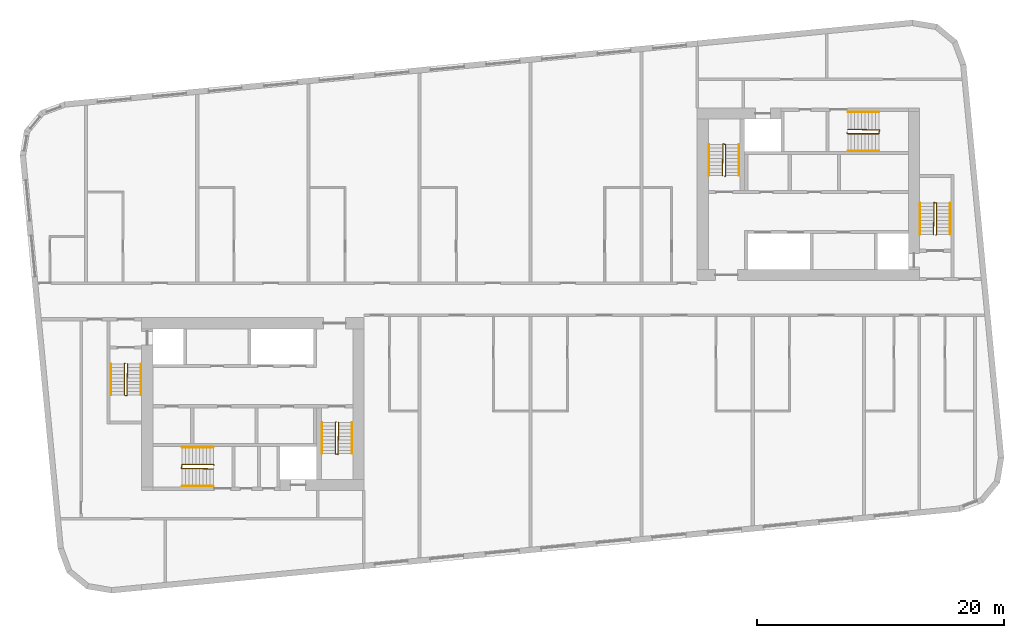
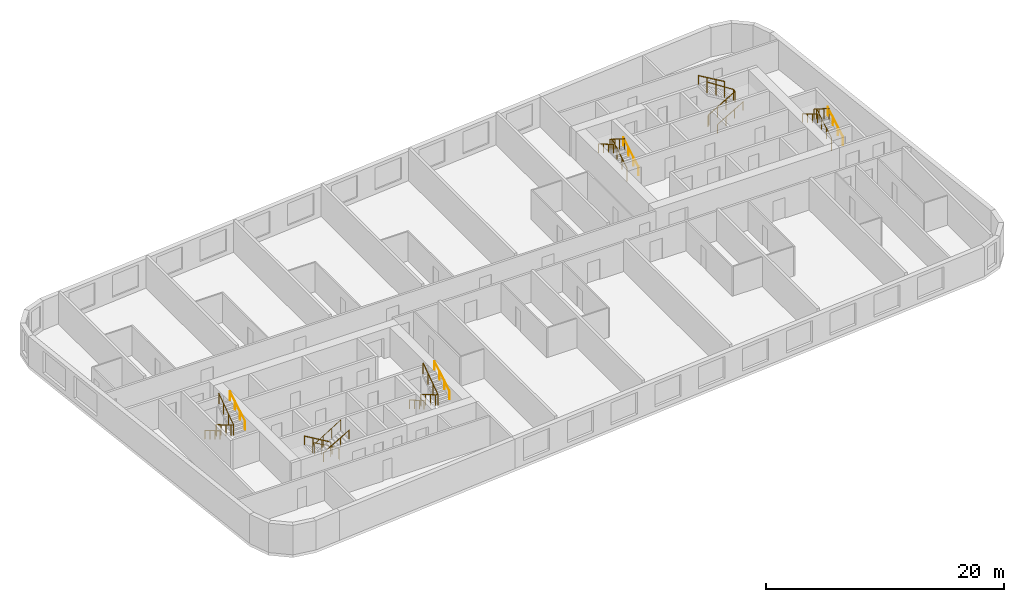
# One storey, part 11 of 11: 18 railings.
"""IFC4 building model written with IfcOpenShell, lengths in metres."""

from ifc_helpers import new_model, si_unit, direction, frame, origin, origin_2d, place, context, subcontext, project, spatial, circle, extrude, material, type_object, element, save


model = new_model("IFC4")

# Units and contexts
model_context = context("Model", 3, precision=1e-05, world=origin(), true_north=direction((0.0, 1.0)))
body_context = subcontext(model_context, "Body", "Model", "MODEL_VIEW")
ifc_project = project(units=[si_unit("LENGTHUNIT", "METRE"), si_unit("AREAUNIT", "SQUARE_METRE"), si_unit("VOLUMEUNIT", "CUBIC_METRE"), si_unit("PLANEANGLEUNIT", "RADIAN"), si_unit("MASSUNIT", "GRAM", prefix="KILO")], contexts=[model_context])

# Site, building, storey
site_placement = place(None, origin())
site = spatial("IfcSite", under=ifc_project, at=site_placement, CompositionType="ELEMENT")
building_placement = place(site_placement, origin())
building = spatial("IfcBuilding", under=site, at=building_placement, Name="Kajstack Hotel Tower", CompositionType="ELEMENT")
storey_placement = place(building_placement, frame((0.0, 0.0, 275.10009765625)))
storey = spatial("IfcBuildingStorey", under=building, at=storey_placement, Name="L68", CompositionType="ELEMENT", Elevation=275.10009765625)

# Railings
ifc_material = material(Name="Steel S355J2", Category="steel")
railing_type_1 = type_object("IfcRailingType", Name="Stair guard 1100", PredefinedType="GUARDRAIL", material=ifc_material)
railing_1_placement = place(storey_placement, frame((-32.85009765625, -5.199951171875, 0.0)))
element("IfcRailing", 1, at=railing_1_placement, inside=storey, type_object=railing_type_1, Name="L68 W1 stair guard 1", PredefinedType="GUARDRAIL", context=body_context, shape_type="SweptSolid", body=[
    extrude(circle(Radius=0.02392578125, at=origin_2d()), frame((0.0, 0.0, 1.076171875), z_axis=(-0.277797701265, -0.279159454702, 0.919183570361), x_axis=(0.708833529934, -0.705375805398, 0.0)), (0.0, 0.0, 1.0), 0.17919921875),
    extrude(circle(Radius=0.02392578125, at=origin_2d()), frame((-0.0498046875, -0.050048828125, 1.24072265625), z_axis=(0.0, -0.86152411907, 0.507716645641), x_axis=(1.0, 0.0, 0.0)), (0.0, 0.0, 1.0), 2.925048828125),
    extrude(circle(Radius=0.02392578125, at=origin_2d()), frame((-0.0498046875, -2.570068359375, 2.72607421875), z_axis=(0.970072785993, -0.242814311512, 0.0), x_axis=(0.242814311512, 0.970072785993, 0.0)), (0.0, 0.0, 1.0), 0.2060546875),
    extrude(circle(Radius=0.02392578125, at=origin_2d()), frame((0.150146484375, -2.6201171875, 2.72607421875), z_axis=(0.016385308676, 0.841405582595, 0.540155687962), x_axis=(-0.999810440751, 0.019470042781, 0.0)), (0.0, 0.0, 1.0), 3.054443359375),
    extrude(circle(Radius=0.02099609375, at=origin_2d()), origin(), (0.0, 0.0, 1.0), 1.052001953125),
    extrude(circle(Radius=0.02099609375, at=origin_2d()), frame((-0.0498046875, -0.050048828125, 0.164794921875)), (0.0, 0.0, 1.0), 1.052001953125),
    extrude(circle(Radius=0.02099609375, at=origin_2d()), frame((-0.0498046875, -0.89013671875, 0.659912109375)), (0.0, 0.0, 1.0), 1.052001953125),
    extrude(circle(Radius=0.02099609375, at=origin_2d()), frame((-0.0498046875, -1.72998046875, 1.15478515625)), (0.0, 0.0, 1.0), 1.052001953125),
    extrude(circle(Radius=0.02099609375, at=origin_2d()), frame((-0.0498046875, -2.570068359375, 1.64990234375)), (0.0, 0.0, 1.0), 1.052001953125),
    extrude(circle(Radius=0.02099609375, at=origin_2d()), frame((0.150146484375, -2.6201171875, 1.64990234375)), (0.0, 0.0, 1.0), 1.052001953125),
    extrude(circle(Radius=0.02099609375, at=origin_2d()), frame((0.166748046875, -1.763427734375, 2.199951171875)), (0.0, 0.0, 1.0), 1.052001953125),
    extrude(circle(Radius=0.02099609375, at=origin_2d()), frame((0.18359375, -0.90673828125, 2.749755859375)), (0.0, 0.0, 1.0), 1.052001953125),
    extrude(circle(Radius=0.02099609375, at=origin_2d()), frame((0.2001953125, -0.050048828125, 3.2998046875)), (0.0, 0.0, 1.0), 1.052001953125),
])
railing_2_placement = place(storey_placement, frame((-15.75, -9.949951171875, 0.0)))
element("IfcRailing", 2, at=railing_2_placement, inside=storey, type_object=railing_type_1, Name="L68 W2 stair guard 1", PredefinedType="GUARDRAIL", context=body_context, shape_type="SweptSolid", body=[
    extrude(circle(Radius=0.02392578125, at=origin_2d()), frame((0.0, 0.0, 1.076171875), z_axis=(-0.279053652268, -0.279053652268, 0.918835196492), x_axis=(0.707106781187, -0.707106781187, 0.0)), (0.0, 0.0, 1.0), 0.179443359375),
    extrude(circle(Radius=0.02392578125, at=origin_2d()), frame((-0.050048828125, -0.050048828125, 1.24072265625), z_axis=(0.0, -0.86152411907, 0.507716645641), x_axis=(1.0, 0.0, 0.0)), (0.0, 0.0, 1.0), 2.925048828125),
    extrude(circle(Radius=0.02392578125, at=origin_2d()), frame((-0.050048828125, -2.570068359375, 2.72607421875), z_axis=(0.970072785993, -0.242814311512, 0.0), x_axis=(0.242814311512, 0.970072785993, 0.0)), (0.0, 0.0, 1.0), 0.2060546875),
    extrude(circle(Radius=0.02392578125, at=origin_2d()), frame((0.14990234375, -2.6201171875, 2.72607421875), z_axis=(0.016385308676, 0.841405582595, 0.540155687962), x_axis=(-0.999810440751, 0.019470042781, 0.0)), (0.0, 0.0, 1.0), 3.054443359375),
    extrude(circle(Radius=0.02099609375, at=origin_2d()), origin(), (0.0, 0.0, 1.0), 1.052001953125),
    extrude(circle(Radius=0.02099609375, at=origin_2d()), frame((-0.050048828125, -0.050048828125, 0.164794921875)), (0.0, 0.0, 1.0), 1.052001953125),
    extrude(circle(Radius=0.02099609375, at=origin_2d()), frame((-0.050048828125, -0.89013671875, 0.659912109375)), (0.0, 0.0, 1.0), 1.052001953125),
    extrude(circle(Radius=0.02099609375, at=origin_2d()), frame((-0.050048828125, -1.72998046875, 1.15478515625)), (0.0, 0.0, 1.0), 1.052001953125),
    extrude(circle(Radius=0.02099609375, at=origin_2d()), frame((-0.050048828125, -2.570068359375, 1.64990234375)), (0.0, 0.0, 1.0), 1.052001953125),
    extrude(circle(Radius=0.02099609375, at=origin_2d()), frame((0.14990234375, -2.6201171875, 1.64990234375)), (0.0, 0.0, 1.0), 1.052001953125),
    extrude(circle(Radius=0.02099609375, at=origin_2d()), frame((0.16650390625, -1.763427734375, 2.199951171875)), (0.0, 0.0, 1.0), 1.052001953125),
    extrude(circle(Radius=0.02099609375, at=origin_2d()), frame((0.183349609375, -0.90673828125, 2.749755859375)), (0.0, 0.0, 1.0), 1.052001953125),
    extrude(circle(Radius=0.02099609375, at=origin_2d()), frame((0.199951171875, -0.050048828125, 3.2998046875)), (0.0, 0.0, 1.0), 1.052001953125),
])
railing_3_placement = place(storey_placement, frame((-25.64990234375, -13.449951171875, 0.0)))
element("IfcRailing", 3, at=railing_3_placement, inside=storey, type_object=railing_type_1, Name="L68 W3 stair guard 1", PredefinedType="GUARDRAIL", context=body_context, shape_type="SweptSolid", body=[
    extrude(circle(Radius=0.02392578125, at=origin_2d()), frame((0.0, 0.0, 1.076171875), z_axis=(-0.279053652268, 0.279053652268, 0.918835196492), x_axis=(-0.707106781187, -0.707106781187, 0.0)), (0.0, 0.0, 1.0), 0.179443359375),
    extrude(circle(Radius=0.02392578125, at=origin_2d()), frame((-0.050048828125, 0.050048828125, 1.24072265625), z_axis=(-0.86152411907, 0.0, 0.507716645641), x_axis=(0.0, -1.0, 0.0)), (0.0, 0.0, 1.0), 2.925048828125),
    extrude(circle(Radius=0.02392578125, at=origin_2d()), frame((-2.570068359375, 0.050048828125, 2.72607421875), z_axis=(-0.164529134168, -0.986372223864, 0.0), x_axis=(0.986372223864, -0.164529134168, 0.0)), (0.0, 0.0, 1.0), 0.30419921875),
    extrude(circle(Radius=0.02392578125, at=origin_2d()), frame((-2.6201171875, -0.25, 2.72607421875), z_axis=(0.841405582595, -0.016385308676, 0.540155687962), x_axis=(0.019470042781, 0.999810440751, 0.0)), (0.0, 0.0, 1.0), 3.054443359375),
    extrude(circle(Radius=0.02099609375, at=origin_2d()), origin(), (0.0, 0.0, 1.0), 1.052001953125),
    extrude(circle(Radius=0.02099609375, at=origin_2d()), frame((-0.050048828125, 0.050048828125, 0.164794921875)), (0.0, 0.0, 1.0), 1.052001953125),
    extrude(circle(Radius=0.02099609375, at=origin_2d()), frame((-0.89013671875, 0.050048828125, 0.659912109375)), (0.0, 0.0, 1.0), 1.052001953125),
    extrude(circle(Radius=0.02099609375, at=origin_2d()), frame((-1.72998046875, 0.050048828125, 1.15478515625)), (0.0, 0.0, 1.0), 1.052001953125),
    extrude(circle(Radius=0.02099609375, at=origin_2d()), frame((-2.570068359375, 0.050048828125, 1.64990234375)), (0.0, 0.0, 1.0), 1.052001953125),
    extrude(circle(Radius=0.02099609375, at=origin_2d()), frame((-2.6201171875, -0.25, 1.64990234375)), (0.0, 0.0, 1.0), 1.052001953125),
    extrude(circle(Radius=0.02099609375, at=origin_2d()), frame((-1.763427734375, -0.2666015625, 2.199951171875)), (0.0, 0.0, 1.0), 1.052001953125),
    extrude(circle(Radius=0.02099609375, at=origin_2d()), frame((-0.90673828125, -0.283447265625, 2.749755859375)), (0.0, 0.0, 1.0), 1.052001953125),
    extrude(circle(Radius=0.02099609375, at=origin_2d()), frame((-0.050048828125, -0.300048828125, 3.2998046875)), (0.0, 0.0, 1.0), 1.052001953125),
])
railing_4_placement = place(storey_placement, frame((32.85009765625, 5.199951171875, 0.0)))
element("IfcRailing", 4, at=railing_4_placement, inside=storey, type_object=railing_type_1, Name="L68 E1 stair guard 1", PredefinedType="GUARDRAIL", context=body_context, shape_type="SweptSolid", body=[
    extrude(circle(Radius=0.02392578125, at=origin_2d()), frame((0.0, 0.0, 1.076171875), z_axis=(0.277797701265, 0.279159454702, 0.919183570361), x_axis=(-0.708833529934, 0.705375805398, 0.0)), (0.0, 0.0, 1.0), 0.17919921875),
    extrude(circle(Radius=0.02392578125, at=origin_2d()), frame((0.0498046875, 0.050048828125, 1.24072265625), z_axis=(0.0, 0.86152411907, 0.507716645641), x_axis=(-1.0, 0.0, 0.0)), (0.0, 0.0, 1.0), 2.925048828125),
    extrude(circle(Radius=0.02392578125, at=origin_2d()), frame((0.0498046875, 2.570068359375, 2.72607421875), z_axis=(-0.970072785993, 0.242814311512, 0.0), x_axis=(-0.242814311512, -0.970072785993, 0.0)), (0.0, 0.0, 1.0), 0.2060546875),
    extrude(circle(Radius=0.02392578125, at=origin_2d()), frame((-0.150146484375, 2.6201171875, 2.72607421875), z_axis=(-0.016385308676, -0.841405582595, 0.540155687962), x_axis=(0.999810440751, -0.019470042781, 0.0)), (0.0, 0.0, 1.0), 3.054443359375),
    extrude(circle(Radius=0.02099609375, at=origin_2d()), origin(), (0.0, 0.0, 1.0), 1.052001953125),
    extrude(circle(Radius=0.02099609375, at=origin_2d()), frame((0.0498046875, 0.050048828125, 0.164794921875)), (0.0, 0.0, 1.0), 1.052001953125),
    extrude(circle(Radius=0.02099609375, at=origin_2d()), frame((0.0498046875, 0.89013671875, 0.659912109375)), (0.0, 0.0, 1.0), 1.052001953125),
    extrude(circle(Radius=0.02099609375, at=origin_2d()), frame((0.0498046875, 1.72998046875, 1.15478515625)), (0.0, 0.0, 1.0), 1.052001953125),
    extrude(circle(Radius=0.02099609375, at=origin_2d()), frame((0.0498046875, 2.570068359375, 1.64990234375)), (0.0, 0.0, 1.0), 1.052001953125),
    extrude(circle(Radius=0.02099609375, at=origin_2d()), frame((-0.150146484375, 2.6201171875, 1.64990234375)), (0.0, 0.0, 1.0), 1.052001953125),
    extrude(circle(Radius=0.02099609375, at=origin_2d()), frame((-0.166748046875, 1.763427734375, 2.199951171875)), (0.0, 0.0, 1.0), 1.052001953125),
    extrude(circle(Radius=0.02099609375, at=origin_2d()), frame((-0.18359375, 0.90673828125, 2.749755859375)), (0.0, 0.0, 1.0), 1.052001953125),
    extrude(circle(Radius=0.02099609375, at=origin_2d()), frame((-0.2001953125, 0.050048828125, 3.2998046875)), (0.0, 0.0, 1.0), 1.052001953125),
])
railing_5_placement = place(storey_placement, frame((15.75, 9.949951171875, 0.0)))
element("IfcRailing", 5, at=railing_5_placement, inside=storey, type_object=railing_type_1, Name="L68 E2 stair guard 1", PredefinedType="GUARDRAIL", context=body_context, shape_type="SweptSolid", body=[
    extrude(circle(Radius=0.02392578125, at=origin_2d()), frame((0.0, 0.0, 1.076171875), z_axis=(0.279053652268, 0.279053652268, 0.918835196492), x_axis=(-0.707106781187, 0.707106781187, 0.0)), (0.0, 0.0, 1.0), 0.179443359375),
    extrude(circle(Radius=0.02392578125, at=origin_2d()), frame((0.050048828125, 0.050048828125, 1.24072265625), z_axis=(0.0, 0.86152411907, 0.507716645641), x_axis=(-1.0, 0.0, 0.0)), (0.0, 0.0, 1.0), 2.925048828125),
    extrude(circle(Radius=0.02392578125, at=origin_2d()), frame((0.050048828125, 2.570068359375, 2.72607421875), z_axis=(-0.970072785993, 0.242814311512, 0.0), x_axis=(-0.242814311512, -0.970072785993, 0.0)), (0.0, 0.0, 1.0), 0.2060546875),
    extrude(circle(Radius=0.02392578125, at=origin_2d()), frame((-0.14990234375, 2.6201171875, 2.72607421875), z_axis=(-0.016385308676, -0.841405582595, 0.540155687962), x_axis=(0.999810440751, -0.019470042781, 0.0)), (0.0, 0.0, 1.0), 3.054443359375),
    extrude(circle(Radius=0.02099609375, at=origin_2d()), origin(), (0.0, 0.0, 1.0), 1.052001953125),
    extrude(circle(Radius=0.02099609375, at=origin_2d()), frame((0.050048828125, 0.050048828125, 0.164794921875)), (0.0, 0.0, 1.0), 1.052001953125),
    extrude(circle(Radius=0.02099609375, at=origin_2d()), frame((0.050048828125, 0.89013671875, 0.659912109375)), (0.0, 0.0, 1.0), 1.052001953125),
    extrude(circle(Radius=0.02099609375, at=origin_2d()), frame((0.050048828125, 1.72998046875, 1.15478515625)), (0.0, 0.0, 1.0), 1.052001953125),
    extrude(circle(Radius=0.02099609375, at=origin_2d()), frame((0.050048828125, 2.570068359375, 1.64990234375)), (0.0, 0.0, 1.0), 1.052001953125),
    extrude(circle(Radius=0.02099609375, at=origin_2d()), frame((-0.14990234375, 2.6201171875, 1.64990234375)), (0.0, 0.0, 1.0), 1.052001953125),
    extrude(circle(Radius=0.02099609375, at=origin_2d()), frame((-0.16650390625, 1.763427734375, 2.199951171875)), (0.0, 0.0, 1.0), 1.052001953125),
    extrude(circle(Radius=0.02099609375, at=origin_2d()), frame((-0.183349609375, 0.90673828125, 2.749755859375)), (0.0, 0.0, 1.0), 1.052001953125),
    extrude(circle(Radius=0.02099609375, at=origin_2d()), frame((-0.199951171875, 0.050048828125, 3.2998046875)), (0.0, 0.0, 1.0), 1.052001953125),
])
railing_6_placement = place(storey_placement, frame((25.64990234375, 13.449951171875, 0.0)))
element("IfcRailing", 6, at=railing_6_placement, inside=storey, type_object=railing_type_1, Name="L68 E3 stair guard 1", PredefinedType="GUARDRAIL", context=body_context, shape_type="SweptSolid", body=[
    extrude(circle(Radius=0.02392578125, at=origin_2d()), frame((0.0, 0.0, 1.076171875), z_axis=(0.279053652268, -0.279053652268, 0.918835196492), x_axis=(0.707106781187, 0.707106781187, 0.0)), (0.0, 0.0, 1.0), 0.179443359375),
    extrude(circle(Radius=0.02392578125, at=origin_2d()), frame((0.050048828125, -0.050048828125, 1.24072265625), z_axis=(0.86152411907, 0.0, 0.507716645641), x_axis=(0.0, 1.0, 0.0)), (0.0, 0.0, 1.0), 2.925048828125),
    extrude(circle(Radius=0.02392578125, at=origin_2d()), frame((2.570068359375, -0.050048828125, 2.72607421875), z_axis=(0.164529134168, 0.986372223864, 0.0), x_axis=(-0.986372223864, 0.164529134168, 0.0)), (0.0, 0.0, 1.0), 0.30419921875),
    extrude(circle(Radius=0.02392578125, at=origin_2d()), frame((2.6201171875, 0.25, 2.72607421875), z_axis=(-0.841405582595, 0.016385308676, 0.540155687962), x_axis=(-0.019470042781, -0.999810440751, 0.0)), (0.0, 0.0, 1.0), 3.054443359375),
    extrude(circle(Radius=0.02099609375, at=origin_2d()), origin(), (0.0, 0.0, 1.0), 1.052001953125),
    extrude(circle(Radius=0.02099609375, at=origin_2d()), frame((0.050048828125, -0.050048828125, 0.164794921875)), (0.0, 0.0, 1.0), 1.052001953125),
    extrude(circle(Radius=0.02099609375, at=origin_2d()), frame((0.89013671875, -0.050048828125, 0.659912109375)), (0.0, 0.0, 1.0), 1.052001953125),
    extrude(circle(Radius=0.02099609375, at=origin_2d()), frame((1.72998046875, -0.050048828125, 1.15478515625)), (0.0, 0.0, 1.0), 1.052001953125),
    extrude(circle(Radius=0.02099609375, at=origin_2d()), frame((2.570068359375, -0.050048828125, 1.64990234375)), (0.0, 0.0, 1.0), 1.052001953125),
    extrude(circle(Radius=0.02099609375, at=origin_2d()), frame((2.6201171875, 0.25, 1.64990234375)), (0.0, 0.0, 1.0), 1.052001953125),
    extrude(circle(Radius=0.02099609375, at=origin_2d()), frame((1.763427734375, 0.2666015625, 2.199951171875)), (0.0, 0.0, 1.0), 1.052001953125),
    extrude(circle(Radius=0.02099609375, at=origin_2d()), frame((0.90673828125, 0.283447265625, 2.749755859375)), (0.0, 0.0, 1.0), 1.052001953125),
    extrude(circle(Radius=0.02099609375, at=origin_2d()), frame((0.050048828125, 0.300048828125, 3.2998046875)), (0.0, 0.0, 1.0), 1.052001953125),
])
railing_type_2 = type_object("IfcRailingType", Name="Stair handrail 900", PredefinedType="HANDRAIL", material=ifc_material)
railing_7_placement = place(storey_placement, frame((-34.0, -5.25, 0.164794921875)))
element("IfcRailing", 7, at=railing_7_placement, inside=storey, type_object=railing_type_2, Name="L68 W1 stair handrail 1", PredefinedType="HANDRAIL", context=body_context, shape_type="SweptSolid", body=[
    extrude(circle(Radius=0.02392578125, at=origin_2d()), frame((0.0, 0.0, 0.8759765625), z_axis=(0.0, -0.86152411907, 0.507716645641), x_axis=(1.0, 0.0, 0.0)), (0.0, 0.0, 1.0), 2.925048828125),
    extrude(circle(Radius=0.02099609375, at=origin_2d()), origin(), (0.0, 0.0, 1.0), 0.851806640625),
    extrude(circle(Radius=0.02099609375, at=origin_2d()), frame((0.0, -0.840087890625, 0.4951171875)), (0.0, 0.0, 1.0), 0.851806640625),
    extrude(circle(Radius=0.02099609375, at=origin_2d()), frame((0.0, -1.679931640625, 0.989990234375)), (0.0, 0.0, 1.0), 0.851806640625),
    extrude(circle(Radius=0.02099609375, at=origin_2d()), frame((0.0, -2.52001953125, 1.485107421875)), (0.0, 0.0, 1.0), 0.851806640625),
])
railing_8_placement = place(storey_placement, frame((-31.550048828125, -7.77001953125, 1.81494140625)))
element("IfcRailing", 8, at=railing_8_placement, inside=storey, type_object=railing_type_2, Name="L68 W1 stair handrail 2", PredefinedType="HANDRAIL", context=body_context, shape_type="SweptSolid", body=[
    extrude(circle(Radius=0.02392578125, at=origin_2d()), frame((0.0, 0.0, 0.8759765625), z_axis=(0.0, 0.861560626758, 0.507654692109), x_axis=(-1.0, 0.0, 0.0)), (0.0, 0.0, 1.0), 2.925048828125),
    extrude(circle(Radius=0.02099609375, at=origin_2d()), origin(), (0.0, 0.0, 1.0), 0.851806640625),
    extrude(circle(Radius=0.02099609375, at=origin_2d()), frame((0.0, 0.840087890625, 0.494873046875)), (0.0, 0.0, 1.0), 0.851806640625),
    extrude(circle(Radius=0.02099609375, at=origin_2d()), frame((0.0, 1.679931640625, 0.989990234375)), (0.0, 0.0, 1.0), 0.851806640625),
    extrude(circle(Radius=0.02099609375, at=origin_2d()), frame((0.0, 2.52001953125, 1.48486328125)), (0.0, 0.0, 1.0), 0.851806640625),
])
railing_9_placement = place(storey_placement, frame((-16.89990234375, -10.0, 0.164794921875)))
element("IfcRailing", 9, at=railing_9_placement, inside=storey, type_object=railing_type_2, Name="L68 W2 stair handrail 1", PredefinedType="HANDRAIL", context=body_context, shape_type="SweptSolid", body=[
    extrude(circle(Radius=0.02392578125, at=origin_2d()), frame((0.0, 0.0, 0.8759765625), z_axis=(0.0, -0.86152411907, 0.507716645641), x_axis=(1.0, 0.0, 0.0)), (0.0, 0.0, 1.0), 2.925048828125),
    extrude(circle(Radius=0.02099609375, at=origin_2d()), origin(), (0.0, 0.0, 1.0), 0.851806640625),
    extrude(circle(Radius=0.02099609375, at=origin_2d()), frame((0.0, -0.840087890625, 0.4951171875)), (0.0, 0.0, 1.0), 0.851806640625),
    extrude(circle(Radius=0.02099609375, at=origin_2d()), frame((0.0, -1.679931640625, 0.989990234375)), (0.0, 0.0, 1.0), 0.851806640625),
    extrude(circle(Radius=0.02099609375, at=origin_2d()), frame((0.0, -2.52001953125, 1.485107421875)), (0.0, 0.0, 1.0), 0.851806640625),
])
railing_10_placement = place(storey_placement, frame((-14.449951171875, -12.52001953125, 1.81494140625)))
element("IfcRailing", 10, at=railing_10_placement, inside=storey, type_object=railing_type_2, Name="L68 W2 stair handrail 2", PredefinedType="HANDRAIL", context=body_context, shape_type="SweptSolid", body=[
    extrude(circle(Radius=0.02392578125, at=origin_2d()), frame((0.0, 0.0, 0.8759765625), z_axis=(0.0, 0.861560626758, 0.507654692109), x_axis=(-1.0, 0.0, 0.0)), (0.0, 0.0, 1.0), 2.925048828125),
    extrude(circle(Radius=0.02099609375, at=origin_2d()), origin(), (0.0, 0.0, 1.0), 0.851806640625),
    extrude(circle(Radius=0.02099609375, at=origin_2d()), frame((0.0, 0.840087890625, 0.494873046875)), (0.0, 0.0, 1.0), 0.851806640625),
    extrude(circle(Radius=0.02099609375, at=origin_2d()), frame((0.0, 1.679931640625, 0.989990234375)), (0.0, 0.0, 1.0), 0.851806640625),
    extrude(circle(Radius=0.02099609375, at=origin_2d()), frame((0.0, 2.52001953125, 1.48486328125)), (0.0, 0.0, 1.0), 0.851806640625),
])
railing_11_placement = place(storey_placement, frame((-25.699951171875, -12.0, 0.164794921875)))
element("IfcRailing", 11, at=railing_11_placement, inside=storey, type_object=railing_type_2, Name="L68 W3 stair handrail 1", PredefinedType="HANDRAIL", context=body_context, shape_type="SweptSolid", body=[
    extrude(circle(Radius=0.02392578125, at=origin_2d()), frame((0.0, 0.0, 0.8759765625), z_axis=(-0.86152411907, 0.0, 0.507716645641), x_axis=(0.0, -1.0, 0.0)), (0.0, 0.0, 1.0), 2.925048828125),
    extrude(circle(Radius=0.02099609375, at=origin_2d()), origin(), (0.0, 0.0, 1.0), 0.851806640625),
    extrude(circle(Radius=0.02099609375, at=origin_2d()), frame((-0.840087890625, 0.0, 0.4951171875)), (0.0, 0.0, 1.0), 0.851806640625),
    extrude(circle(Radius=0.02099609375, at=origin_2d()), frame((-1.679931640625, 0.0, 0.989990234375)), (0.0, 0.0, 1.0), 0.851806640625),
    extrude(circle(Radius=0.02099609375, at=origin_2d()), frame((-2.52001953125, 0.0, 1.485107421875)), (0.0, 0.0, 1.0), 0.851806640625),
])
railing_12_placement = place(storey_placement, frame((-28.219970703125, -15.14990234375, 1.81494140625)))
element("IfcRailing", 12, at=railing_12_placement, inside=storey, type_object=railing_type_2, Name="L68 W3 stair handrail 2", PredefinedType="HANDRAIL", context=body_context, shape_type="SweptSolid", body=[
    extrude(circle(Radius=0.02392578125, at=origin_2d()), frame((0.0, 0.0, 0.8759765625), z_axis=(0.861560626758, 0.0, 0.507654692109), x_axis=(0.0, 1.0, 0.0)), (0.0, 0.0, 1.0), 2.925048828125),
    extrude(circle(Radius=0.02099609375, at=origin_2d()), origin(), (0.0, 0.0, 1.0), 0.851806640625),
    extrude(circle(Radius=0.02099609375, at=origin_2d()), frame((0.840087890625, 0.0, 0.494873046875)), (0.0, 0.0, 1.0), 0.851806640625),
    extrude(circle(Radius=0.02099609375, at=origin_2d()), frame((1.679931640625, 0.0, 0.989990234375)), (0.0, 0.0, 1.0), 0.851806640625),
    extrude(circle(Radius=0.02099609375, at=origin_2d()), frame((2.52001953125, 0.0, 1.48486328125)), (0.0, 0.0, 1.0), 0.851806640625),
])
railing_13_placement = place(storey_placement, frame((34.0, 5.25, 0.164794921875)))
element("IfcRailing", 13, at=railing_13_placement, inside=storey, type_object=railing_type_2, Name="L68 E1 stair handrail 1", PredefinedType="HANDRAIL", context=body_context, shape_type="SweptSolid", body=[
    extrude(circle(Radius=0.02392578125, at=origin_2d()), frame((0.0, 0.0, 0.8759765625), z_axis=(0.0, 0.86152411907, 0.507716645641), x_axis=(-1.0, 0.0, 0.0)), (0.0, 0.0, 1.0), 2.925048828125),
    extrude(circle(Radius=0.02099609375, at=origin_2d()), origin(), (0.0, 0.0, 1.0), 0.851806640625),
    extrude(circle(Radius=0.02099609375, at=origin_2d()), frame((0.0, 0.840087890625, 0.4951171875)), (0.0, 0.0, 1.0), 0.851806640625),
    extrude(circle(Radius=0.02099609375, at=origin_2d()), frame((0.0, 1.679931640625, 0.989990234375)), (0.0, 0.0, 1.0), 0.851806640625),
    extrude(circle(Radius=0.02099609375, at=origin_2d()), frame((0.0, 2.52001953125, 1.485107421875)), (0.0, 0.0, 1.0), 0.851806640625),
])
railing_14_placement = place(storey_placement, frame((31.550048828125, 7.77001953125, 1.81494140625)))
element("IfcRailing", 14, at=railing_14_placement, inside=storey, type_object=railing_type_2, Name="L68 E1 stair handrail 2", PredefinedType="HANDRAIL", context=body_context, shape_type="SweptSolid", body=[
    extrude(circle(Radius=0.02392578125, at=origin_2d()), frame((0.0, 0.0, 0.8759765625), z_axis=(0.0, -0.861560626758, 0.507654692109), x_axis=(1.0, 0.0, 0.0)), (0.0, 0.0, 1.0), 2.925048828125),
    extrude(circle(Radius=0.02099609375, at=origin_2d()), origin(), (0.0, 0.0, 1.0), 0.851806640625),
    extrude(circle(Radius=0.02099609375, at=origin_2d()), frame((0.0, -0.840087890625, 0.494873046875)), (0.0, 0.0, 1.0), 0.851806640625),
    extrude(circle(Radius=0.02099609375, at=origin_2d()), frame((0.0, -1.679931640625, 0.989990234375)), (0.0, 0.0, 1.0), 0.851806640625),
    extrude(circle(Radius=0.02099609375, at=origin_2d()), frame((0.0, -2.52001953125, 1.48486328125)), (0.0, 0.0, 1.0), 0.851806640625),
])
railing_15_placement = place(storey_placement, frame((16.89990234375, 10.0, 0.164794921875)))
element("IfcRailing", 15, at=railing_15_placement, inside=storey, type_object=railing_type_2, Name="L68 E2 stair handrail 1", PredefinedType="HANDRAIL", context=body_context, shape_type="SweptSolid", body=[
    extrude(circle(Radius=0.02392578125, at=origin_2d()), frame((0.0, 0.0, 0.8759765625), z_axis=(0.0, 0.86152411907, 0.507716645641), x_axis=(-1.0, 0.0, 0.0)), (0.0, 0.0, 1.0), 2.925048828125),
    extrude(circle(Radius=0.02099609375, at=origin_2d()), origin(), (0.0, 0.0, 1.0), 0.851806640625),
    extrude(circle(Radius=0.02099609375, at=origin_2d()), frame((0.0, 0.840087890625, 0.4951171875)), (0.0, 0.0, 1.0), 0.851806640625),
    extrude(circle(Radius=0.02099609375, at=origin_2d()), frame((0.0, 1.679931640625, 0.989990234375)), (0.0, 0.0, 1.0), 0.851806640625),
    extrude(circle(Radius=0.02099609375, at=origin_2d()), frame((0.0, 2.52001953125, 1.485107421875)), (0.0, 0.0, 1.0), 0.851806640625),
])
railing_16_placement = place(storey_placement, frame((14.449951171875, 12.52001953125, 1.81494140625)))
element("IfcRailing", 16, at=railing_16_placement, inside=storey, type_object=railing_type_2, Name="L68 E2 stair handrail 2", PredefinedType="HANDRAIL", context=body_context, shape_type="SweptSolid", body=[
    extrude(circle(Radius=0.02392578125, at=origin_2d()), frame((0.0, 0.0, 0.8759765625), z_axis=(0.0, -0.861560626758, 0.507654692109), x_axis=(1.0, 0.0, 0.0)), (0.0, 0.0, 1.0), 2.925048828125),
    extrude(circle(Radius=0.02099609375, at=origin_2d()), origin(), (0.0, 0.0, 1.0), 0.851806640625),
    extrude(circle(Radius=0.02099609375, at=origin_2d()), frame((0.0, -0.840087890625, 0.494873046875)), (0.0, 0.0, 1.0), 0.851806640625),
    extrude(circle(Radius=0.02099609375, at=origin_2d()), frame((0.0, -1.679931640625, 0.989990234375)), (0.0, 0.0, 1.0), 0.851806640625),
    extrude(circle(Radius=0.02099609375, at=origin_2d()), frame((0.0, -2.52001953125, 1.48486328125)), (0.0, 0.0, 1.0), 0.851806640625),
])
railing_17_placement = place(storey_placement, frame((25.699951171875, 12.0, 0.164794921875)))
element("IfcRailing", 17, at=railing_17_placement, inside=storey, type_object=railing_type_2, Name="L68 E3 stair handrail 1", PredefinedType="HANDRAIL", context=body_context, shape_type="SweptSolid", body=[
    extrude(circle(Radius=0.02392578125, at=origin_2d()), frame((0.0, 0.0, 0.8759765625), z_axis=(0.86152411907, 0.0, 0.507716645641), x_axis=(0.0, 1.0, 0.0)), (0.0, 0.0, 1.0), 2.925048828125),
    extrude(circle(Radius=0.02099609375, at=origin_2d()), origin(), (0.0, 0.0, 1.0), 0.851806640625),
    extrude(circle(Radius=0.02099609375, at=origin_2d()), frame((0.840087890625, 0.0, 0.4951171875)), (0.0, 0.0, 1.0), 0.851806640625),
    extrude(circle(Radius=0.02099609375, at=origin_2d()), frame((1.679931640625, 0.0, 0.989990234375)), (0.0, 0.0, 1.0), 0.851806640625),
    extrude(circle(Radius=0.02099609375, at=origin_2d()), frame((2.52001953125, 0.0, 1.485107421875)), (0.0, 0.0, 1.0), 0.851806640625),
])
railing_18_placement = place(storey_placement, frame((28.219970703125, 15.14990234375, 1.81494140625)))
element("IfcRailing", 18, at=railing_18_placement, inside=storey, type_object=railing_type_2, Name="L68 E3 stair handrail 2", PredefinedType="HANDRAIL", context=body_context, shape_type="SweptSolid", body=[
    extrude(circle(Radius=0.02392578125, at=origin_2d()), frame((0.0, 0.0, 0.8759765625), z_axis=(-0.861560626758, 0.0, 0.507654692109), x_axis=(0.0, -1.0, 0.0)), (0.0, 0.0, 1.0), 2.925048828125),
    extrude(circle(Radius=0.02099609375, at=origin_2d()), origin(), (0.0, 0.0, 1.0), 0.851806640625),
    extrude(circle(Radius=0.02099609375, at=origin_2d()), frame((-0.840087890625, 0.0, 0.494873046875)), (0.0, 0.0, 1.0), 0.851806640625),
    extrude(circle(Radius=0.02099609375, at=origin_2d()), frame((-1.679931640625, 0.0, 0.989990234375)), (0.0, 0.0, 1.0), 0.851806640625),
    extrude(circle(Radius=0.02099609375, at=origin_2d()), frame((-2.52001953125, 0.0, 1.48486328125)), (0.0, 0.0, 1.0), 0.851806640625),
])

save(model, "model.ifc")
